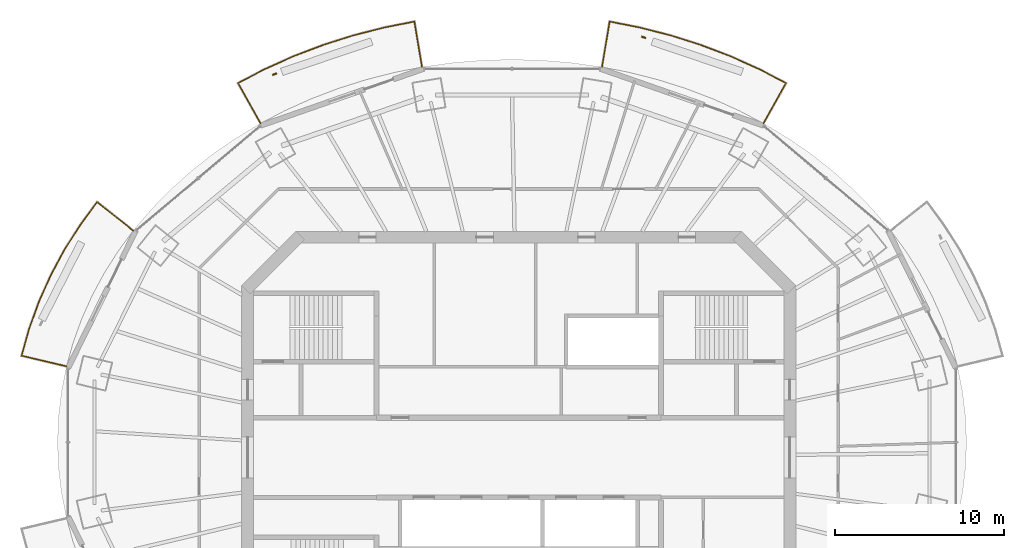
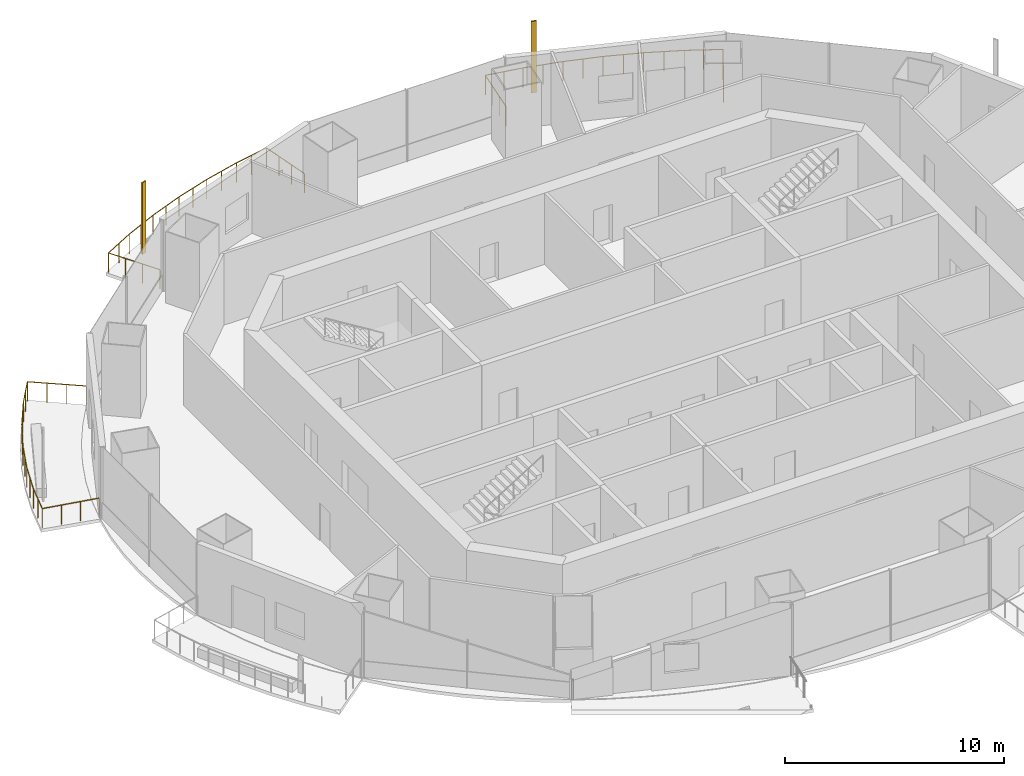
# One storey, part 14 of 16: 3 railings, 2 shading devices.
"""IFC4 building model written with IfcOpenShell, lengths in metres."""

from ifc_helpers import new_model, si_unit, direction, frame, origin, origin_2d, place, context, subcontext, project, spatial, rectangle, circle, extrude, material, material_profile, profile_set, type_object, element, save


model = new_model("IFC4")

# Units and contexts
model_context = context("Model", 3, precision=1e-05, world=origin(), true_north=direction((0.0, 1.0)))
body_context = subcontext(model_context, "Body", "Model", "MODEL_VIEW")
ifc_project = project(units=[si_unit("LENGTHUNIT", "METRE"), si_unit("AREAUNIT", "SQUARE_METRE"), si_unit("VOLUMEUNIT", "CUBIC_METRE"), si_unit("PLANEANGLEUNIT", "RADIAN"), si_unit("MASSUNIT", "GRAM", prefix="KILO")], contexts=[model_context])

# Site, building, storey
site_placement = place(None, origin())
site = spatial("IfcSite", under=ifc_project, at=site_placement, CompositionType="ELEMENT")
building_placement = place(site_placement, origin())
building = spatial("IfcBuilding", under=site, at=building_placement, Name="Marenthal Gate Tower", CompositionType="ELEMENT")
storey_placement = place(building_placement, frame((0.0, 0.0, 346.75)))
storey = spatial("IfcBuildingStorey", under=building, at=storey_placement, Name="L78", CompositionType="ELEMENT", Elevation=346.75)

# Railings
ifc_material_1 = material(Name="Stainless steel", Category="steel")
railing_type = type_object("IfcRailingType", Name="Balcony guard 1100", PredefinedType="GUARDRAIL", material=ifc_material_1)
railing_1_placement = place(storey_placement, frame((4.91259765625, 23.048583984375, 0.0)))
element("IfcRailing", 1, at=railing_1_placement, inside=storey, type_object=railing_type, Name="Balcony guard L78 bay 3", PredefinedType="GUARDRAIL", context=body_context, shape_type="SweptSolid", body=[
    extrude(circle(Radius=0.02392578125, at=origin_2d()), frame((0.0, 0.0, 1.076171875), z_axis=(0.165399817941, 0.986116765891, -0.014718160685), x_axis=(-0.986223591651, 0.165417735658, 0.0)), (0.0, 0.0, 1.0), 2.720458984375),
    extrude(circle(Radius=0.02392578125, at=origin_2d()), frame((0.449951171875, 2.6826171875, 1.0361328125), z_axis=(0.980997608123, -0.194019825938, 0.0), x_axis=(0.194019825938, 0.980997608123, 0.0)), (0.0, 0.0, 1.0), 1.814453125),
    extrude(circle(Radius=0.02392578125, at=origin_2d()), frame((2.22998046875, 2.33056640625, 1.0361328125), z_axis=(0.968882086134, -0.24752273263, 0.0), x_axis=(0.24752273263, 0.968882086134, 0.0)), (0.0, 0.0, 1.0), 1.887939453125),
    extrude(circle(Radius=0.02392578125, at=origin_2d()), frame((4.05908203125, 1.86328125, 1.0361328125), z_axis=(0.953244331297, -0.302200669837, 0.0), x_axis=(0.302200669837, 0.953244331297, 0.0)), (0.0, 0.0, 1.0), 1.879150390625),
    extrude(circle(Radius=0.02392578125, at=origin_2d()), frame((5.850341796875, 1.29541015625, 1.0361328125), z_axis=(0.934241329818, -0.35664146935, 0.0), x_axis=(0.35664146935, 0.934241329818, 0.0)), (0.0, 0.0, 1.0), 1.86962890625),
    extrude(circle(Radius=0.02392578125, at=origin_2d()), frame((7.596923828125, 0.628662109375, 1.0361328125), z_axis=(0.911823143893, -0.410583187992, 0.0), x_axis=(0.410583187992, 0.911823143893, 0.0)), (0.0, 0.0, 1.0), 1.858154296875),
    extrude(circle(Radius=0.02392578125, at=origin_2d()), frame((9.291259765625, -0.13427734375, 1.0361328125), z_axis=(0.886466510694, -0.462792745642, 0.0), x_axis=(0.462792745642, 0.886466510694, 0.0)), (0.0, 0.0, 1.0), 1.76611328125),
    extrude(circle(Radius=0.02392578125, at=origin_2d()), frame((10.85693359375, -0.95166015625, 1.0361328125), z_axis=(-0.490740668141, -0.871181358019, 0.014718630134), x_axis=(0.871275738879, -0.490793833336, 0.0)), (0.0, 0.0, 1.0), 2.72021484375),
    extrude(circle(Radius=0.02099609375, at=origin_2d()), origin(), (0.0, 0.0, 1.0), 1.052001953125),
    extrude(circle(Radius=0.02099609375, at=origin_2d()), frame((0.14990234375, 0.894287109375, -0.013427734375)), (0.0, 0.0, 1.0), 1.052001953125),
    extrude(circle(Radius=0.02099609375, at=origin_2d()), frame((0.300048828125, 1.788330078125, -0.026611328125)), (0.0, 0.0, 1.0), 1.052001953125),
    extrude(circle(Radius=0.02099609375, at=origin_2d()), frame((0.449951171875, 2.6826171875, -0.0400390625)), (0.0, 0.0, 1.0), 1.052001953125),
    extrude(circle(Radius=0.02099609375, at=origin_2d()), frame((1.33984375, 2.506591796875, -0.0400390625)), (0.0, 0.0, 1.0), 1.052001953125),
    extrude(circle(Radius=0.02099609375, at=origin_2d()), frame((2.22998046875, 2.33056640625, -0.0400390625)), (0.0, 0.0, 1.0), 1.052001953125),
    extrude(circle(Radius=0.02099609375, at=origin_2d()), frame((3.14453125, 2.096923828125, -0.0400390625)), (0.0, 0.0, 1.0), 1.052001953125),
    extrude(circle(Radius=0.02099609375, at=origin_2d()), frame((4.05908203125, 1.86328125, -0.0400390625)), (0.0, 0.0, 1.0), 1.052001953125),
    extrude(circle(Radius=0.02099609375, at=origin_2d()), frame((4.95458984375, 1.579345703125, -0.0400390625)), (0.0, 0.0, 1.0), 1.052001953125),
    extrude(circle(Radius=0.02099609375, at=origin_2d()), frame((5.850341796875, 1.29541015625, -0.0400390625)), (0.0, 0.0, 1.0), 1.052001953125),
    extrude(circle(Radius=0.02099609375, at=origin_2d()), frame((6.7236328125, 0.9619140625, -0.0400390625)), (0.0, 0.0, 1.0), 1.052001953125),
    extrude(circle(Radius=0.02099609375, at=origin_2d()), frame((7.596923828125, 0.628662109375, -0.0400390625)), (0.0, 0.0, 1.0), 1.052001953125),
    extrude(circle(Radius=0.02099609375, at=origin_2d()), frame((8.444091796875, 0.2470703125, -0.0400390625)), (0.0, 0.0, 1.0), 1.052001953125),
    extrude(circle(Radius=0.02099609375, at=origin_2d()), frame((9.291259765625, -0.13427734375, -0.0400390625)), (0.0, 0.0, 1.0), 1.052001953125),
    extrude(circle(Radius=0.02099609375, at=origin_2d()), frame((10.07421875, -0.54296875, -0.0400390625)), (0.0, 0.0, 1.0), 1.052001953125),
    extrude(circle(Radius=0.02099609375, at=origin_2d()), frame((10.85693359375, -0.95166015625, -0.0400390625)), (0.0, 0.0, 1.0), 1.052001953125),
    extrude(circle(Radius=0.02099609375, at=origin_2d()), frame((10.411865234375, -1.74169921875, -0.026611328125)), (0.0, 0.0, 1.0), 1.052001953125),
    extrude(circle(Radius=0.02099609375, at=origin_2d()), frame((9.967041015625, -2.531494140625, -0.013427734375)), (0.0, 0.0, 1.0), 1.052001953125),
    extrude(circle(Radius=0.02099609375, at=origin_2d()), frame((9.52197265625, -3.321533203125, 0.0)), (0.0, 0.0, 1.0), 1.052001953125),
])
railing_2_placement = place(storey_placement, frame((-15.234619140625, 19.72705078125, 0.0)))
element("IfcRailing", 2, at=railing_2_placement, inside=storey, type_object=railing_type, Name="Balcony guard L78 bay 5", PredefinedType="GUARDRAIL", context=body_context, shape_type="SweptSolid", body=[
    extrude(circle(Radius=0.02392578125, at=origin_2d()), frame((0.0, 0.0, 1.076171875), z_axis=(-0.490740668141, 0.871181358019, -0.014718630134), x_axis=(-0.871275738879, -0.490793833336, 0.0)), (0.0, 0.0, 1.0), 2.72021484375),
    extrude(circle(Radius=0.02392578125, at=origin_2d()), frame((-1.3349609375, 2.369873046875, 1.0361328125), z_axis=(0.886466510694, 0.462792745642, 0.0), x_axis=(-0.462792745642, 0.886466510694, 0.0)), (0.0, 0.0, 1.0), 1.76611328125),
    extrude(circle(Radius=0.02392578125, at=origin_2d()), frame((0.230712890625, 3.187255859375, 1.0361328125), z_axis=(0.911823143893, 0.410583187992, 0.0), x_axis=(-0.410583187992, 0.911823143893, 0.0)), (0.0, 0.0, 1.0), 1.858154296875),
    extrude(circle(Radius=0.02392578125, at=origin_2d()), frame((1.925048828125, 3.9501953125, 1.0361328125), z_axis=(0.934241329818, 0.35664146935, 0.0), x_axis=(-0.35664146935, 0.934241329818, 0.0)), (0.0, 0.0, 1.0), 1.86962890625),
    extrude(circle(Radius=0.02392578125, at=origin_2d()), frame((3.671630859375, 4.616943359375, 1.0361328125), z_axis=(0.953244331297, 0.302200669837, 0.0), x_axis=(-0.302200669837, 0.953244331297, 0.0)), (0.0, 0.0, 1.0), 1.879150390625),
    extrude(circle(Radius=0.02392578125, at=origin_2d()), frame((5.462890625, 5.184814453125, 1.0361328125), z_axis=(0.968882086134, 0.24752273263, 0.0), x_axis=(-0.24752273263, 0.968882086134, 0.0)), (0.0, 0.0, 1.0), 1.887939453125),
    extrude(circle(Radius=0.02392578125, at=origin_2d()), frame((7.2919921875, 5.652099609375, 1.0361328125), z_axis=(0.981002672046, 0.193994220117, 0.0), x_axis=(-0.193994220117, 0.981002672046, 0.0)), (0.0, 0.0, 1.0), 1.814697265625),
    extrude(circle(Radius=0.02392578125, at=origin_2d()), frame((9.072265625, 6.004150390625, 1.0361328125), z_axis=(0.165312526275, -0.986131399953, 0.014718379104), x_axis=(0.98623823047, 0.165330435068, 0.0)), (0.0, 0.0, 1.0), 2.720458984375),
    extrude(circle(Radius=0.02099609375, at=origin_2d()), origin(), (0.0, 0.0, 1.0), 1.052001953125),
    extrude(circle(Radius=0.02099609375, at=origin_2d()), frame((-0.445068359375, 0.7900390625, -0.013427734375)), (0.0, 0.0, 1.0), 1.052001953125),
    extrude(circle(Radius=0.02099609375, at=origin_2d()), frame((-0.889892578125, 1.579833984375, -0.026611328125)), (0.0, 0.0, 1.0), 1.052001953125),
    extrude(circle(Radius=0.02099609375, at=origin_2d()), frame((-1.3349609375, 2.369873046875, -0.0400390625)), (0.0, 0.0, 1.0), 1.052001953125),
    extrude(circle(Radius=0.02099609375, at=origin_2d()), frame((-0.55224609375, 2.778564453125, -0.0400390625)), (0.0, 0.0, 1.0), 1.052001953125),
    extrude(circle(Radius=0.02099609375, at=origin_2d()), frame((0.230712890625, 3.187255859375, -0.0400390625)), (0.0, 0.0, 1.0), 1.052001953125),
    extrude(circle(Radius=0.02099609375, at=origin_2d()), frame((1.077880859375, 3.56884765625, -0.0400390625)), (0.0, 0.0, 1.0), 1.052001953125),
    extrude(circle(Radius=0.02099609375, at=origin_2d()), frame((1.925048828125, 3.9501953125, -0.0400390625)), (0.0, 0.0, 1.0), 1.052001953125),
    extrude(circle(Radius=0.02099609375, at=origin_2d()), frame((2.79833984375, 4.28369140625, -0.0400390625)), (0.0, 0.0, 1.0), 1.052001953125),
    extrude(circle(Radius=0.02099609375, at=origin_2d()), frame((3.671630859375, 4.616943359375, -0.0400390625)), (0.0, 0.0, 1.0), 1.052001953125),
    extrude(circle(Radius=0.02099609375, at=origin_2d()), frame((4.5673828125, 4.90087890625, -0.0400390625)), (0.0, 0.0, 1.0), 1.052001953125),
    extrude(circle(Radius=0.02099609375, at=origin_2d()), frame((5.462890625, 5.184814453125, -0.0400390625)), (0.0, 0.0, 1.0), 1.052001953125),
    extrude(circle(Radius=0.02099609375, at=origin_2d()), frame((6.37744140625, 5.41845703125, -0.0400390625)), (0.0, 0.0, 1.0), 1.052001953125),
    extrude(circle(Radius=0.02099609375, at=origin_2d()), frame((7.2919921875, 5.652099609375, -0.0400390625)), (0.0, 0.0, 1.0), 1.052001953125),
    extrude(circle(Radius=0.02099609375, at=origin_2d()), frame((8.18212890625, 5.828125, -0.0400390625)), (0.0, 0.0, 1.0), 1.052001953125),
    extrude(circle(Radius=0.02099609375, at=origin_2d()), frame((9.072265625, 6.004150390625, -0.0400390625)), (0.0, 0.0, 1.0), 1.052001953125),
    extrude(circle(Radius=0.02099609375, at=origin_2d()), frame((9.22216796875, 5.10986328125, -0.026611328125)), (0.0, 0.0, 1.0), 1.052001953125),
    extrude(circle(Radius=0.02099609375, at=origin_2d()), frame((9.3720703125, 4.2158203125, -0.013427734375)), (0.0, 0.0, 1.0), 1.052001953125),
    extrude(circle(Radius=0.02099609375, at=origin_2d()), frame((9.52197265625, 3.321533203125, 0.0)), (0.0, 0.0, 1.0), 1.052001953125),
])
railing_3_placement = place(storey_placement, frame((-26.693115234375, 5.38623046875, 0.0)))
element("IfcRailing", 3, at=railing_3_placement, inside=storey, type_object=railing_type, Name="Balcony guard L78 bay 7", PredefinedType="GUARDRAIL", context=body_context, shape_type="SweptSolid", body=[
    extrude(circle(Radius=0.02392578125, at=origin_2d()), frame((0.0, 0.0, 1.076171875), z_axis=(-0.973182110168, 0.229564721303, -0.014717988387), x_axis=(-0.229589589404, -0.973287532252, 0.0)), (0.0, 0.0, 1.0), 2.720458984375),
    extrude(circle(Radius=0.02392578125, at=origin_2d()), frame((-2.6474609375, 0.62451171875, 1.0361328125), z_axis=(0.268568220157, 0.963260666238, 0.0), x_axis=(-0.963260666238, 0.268568220157, 0.0)), (0.0, 0.0, 1.0), 1.620849609375),
    extrude(circle(Radius=0.02392578125, at=origin_2d()), frame((-2.212158203125, 2.185791015625, 1.0361328125), z_axis=(0.338906739097, 0.940819973318, 0.0), x_axis=(-0.940819973318, 0.338906739097, 0.0)), (0.0, 0.0, 1.0), 1.7080078125),
    extrude(circle(Radius=0.02392578125, at=origin_2d()), frame((-1.63330078125, 3.792724609375, 1.0361328125), z_axis=(0.407879524978, 0.91303575675, 0.0), x_axis=(-0.91303575675, 0.407879524978, 0.0)), (0.0, 0.0, 1.0), 1.716552734375),
    extrude(circle(Radius=0.02392578125, at=origin_2d()), frame((-0.93310546875, 5.360107421875, 1.0361328125), z_axis=(0.473652895145, 0.880711607123, 0.0), x_axis=(-0.880711607123, 0.473652895145, 0.0)), (0.0, 0.0, 1.0), 1.726806640625),
    extrude(circle(Radius=0.02392578125, at=origin_2d()), frame((-0.115234375, 6.880859375, 1.0361328125), z_axis=(0.535757035565, 0.84437219213, 0.0), x_axis=(-0.84437219213, 0.535757035565, 0.0)), (0.0, 0.0, 1.0), 1.738037109375),
    extrude(circle(Radius=0.02392578125, at=origin_2d()), frame((0.81591796875, 8.348388671875, 1.0361328125), z_axis=(0.592585720086, 0.80550739559, 0.0), x_axis=(-0.80550739559, 0.592585720086, 0.0)), (0.0, 0.0, 1.0), 1.670654296875),
    extrude(circle(Radius=0.02392578125, at=origin_2d()), frame((1.805908203125, 9.694091796875, 1.0361328125), z_axis=(0.78365684055, -0.621019548707, 0.014719931491), x_axis=(0.621086839778, 0.783741754314, 0.0)), (0.0, 0.0, 1.0), 2.719970703125),
    extrude(circle(Radius=0.02099609375, at=origin_2d()), origin(), (0.0, 0.0, 1.0), 1.052001953125),
    extrude(circle(Radius=0.02099609375, at=origin_2d()), frame((-0.882568359375, 0.208251953125, -0.013427734375)), (0.0, 0.0, 1.0), 1.052001953125),
    extrude(circle(Radius=0.02099609375, at=origin_2d()), frame((-1.764892578125, 0.416259765625, -0.026611328125)), (0.0, 0.0, 1.0), 1.052001953125),
    extrude(circle(Radius=0.02099609375, at=origin_2d()), frame((-2.6474609375, 0.62451171875, -0.0400390625)), (0.0, 0.0, 1.0), 1.052001953125),
    extrude(circle(Radius=0.02099609375, at=origin_2d()), frame((-2.4296875, 1.4052734375, -0.0400390625)), (0.0, 0.0, 1.0), 1.052001953125),
    extrude(circle(Radius=0.02099609375, at=origin_2d()), frame((-2.212158203125, 2.185791015625, -0.0400390625)), (0.0, 0.0, 1.0), 1.052001953125),
    extrude(circle(Radius=0.02099609375, at=origin_2d()), frame((-1.9228515625, 2.9892578125, -0.0400390625)), (0.0, 0.0, 1.0), 1.052001953125),
    extrude(circle(Radius=0.02099609375, at=origin_2d()), frame((-1.63330078125, 3.792724609375, -0.0400390625)), (0.0, 0.0, 1.0), 1.052001953125),
    extrude(circle(Radius=0.02099609375, at=origin_2d()), frame((-1.283203125, 4.576416015625, -0.0400390625)), (0.0, 0.0, 1.0), 1.052001953125),
    extrude(circle(Radius=0.02099609375, at=origin_2d()), frame((-0.93310546875, 5.360107421875, -0.0400390625)), (0.0, 0.0, 1.0), 1.052001953125),
    extrude(circle(Radius=0.02099609375, at=origin_2d()), frame((-0.524169921875, 6.12060546875, -0.0400390625)), (0.0, 0.0, 1.0), 1.052001953125),
    extrude(circle(Radius=0.02099609375, at=origin_2d()), frame((-0.115234375, 6.880859375, -0.0400390625)), (0.0, 0.0, 1.0), 1.052001953125),
    extrude(circle(Radius=0.02099609375, at=origin_2d()), frame((0.350341796875, 7.61474609375, -0.0400390625)), (0.0, 0.0, 1.0), 1.052001953125),
    extrude(circle(Radius=0.02099609375, at=origin_2d()), frame((0.81591796875, 8.348388671875, -0.0400390625)), (0.0, 0.0, 1.0), 1.052001953125),
    extrude(circle(Radius=0.02099609375, at=origin_2d()), frame((1.31103515625, 9.021240234375, -0.0400390625)), (0.0, 0.0, 1.0), 1.052001953125),
    extrude(circle(Radius=0.02099609375, at=origin_2d()), frame((1.805908203125, 9.694091796875, -0.0400390625)), (0.0, 0.0, 1.0), 1.052001953125),
    extrude(circle(Radius=0.02099609375, at=origin_2d()), frame((2.516357421875, 9.131103515625, -0.026611328125)), (0.0, 0.0, 1.0), 1.052001953125),
    extrude(circle(Radius=0.02099609375, at=origin_2d()), frame((3.22705078125, 8.56787109375, -0.013427734375)), (0.0, 0.0, 1.0), 1.052001953125),
    extrude(circle(Radius=0.02099609375, at=origin_2d()), frame((3.9375, 8.0048828125, 0.0)), (0.0, 0.0, 1.0), 1.052001953125),
])

# Shading devices
ifc_material_2 = material(Name="Terracotta", Category="masonry")
ifc_material_profile = material_profile(ifc_material_2, rectangle(XDim=0.25, YDim=0.080078125, at=origin_2d()), Name="Terracotta baguette 250x80")
ifc_profile_set = profile_set([ifc_material_profile], Name="Terracotta")
shading_device_type = type_object("IfcShadingDeviceType", Name="Terracotta BAGUETTE SCREEN 250x80", PredefinedType="USERDEFINED", material=ifc_profile_set)
for number, where, z_axis, x_axis, name in (
    (4, (7.371826171875, 24.802978515625, -0.0400390625), (0.0, 0.0, 1.0), (-0.944152186109, 0.32950971073, 0.0), "Terracotta BAGUETTE L78 bay 3R"),
    (5, (-14.41064453125, 22.62548828125, -0.0400390625), (0.0, 0.0, 1.0), (-0.944152186109, -0.32950971073, 0.0), "Terracotta BAGUETTE L78 bay 5R"),
):
    element("IfcShadingDevice", number, at=place(storey_placement, frame(where, z_axis=z_axis, x_axis=x_axis)), inside=storey, type_object=shading_device_type, Name=name, ObjectType="BAGUETTE SCREEN", PredefinedType="USERDEFINED", context=body_context, shape_type="SweptSolid", body=[
        extrude(rectangle(XDim=0.25, YDim=0.080078125, at=origin_2d()), origin(), (0.0, 0.0, 1.0), 3.969970703125),
    ])

save(model, "model.ifc")
